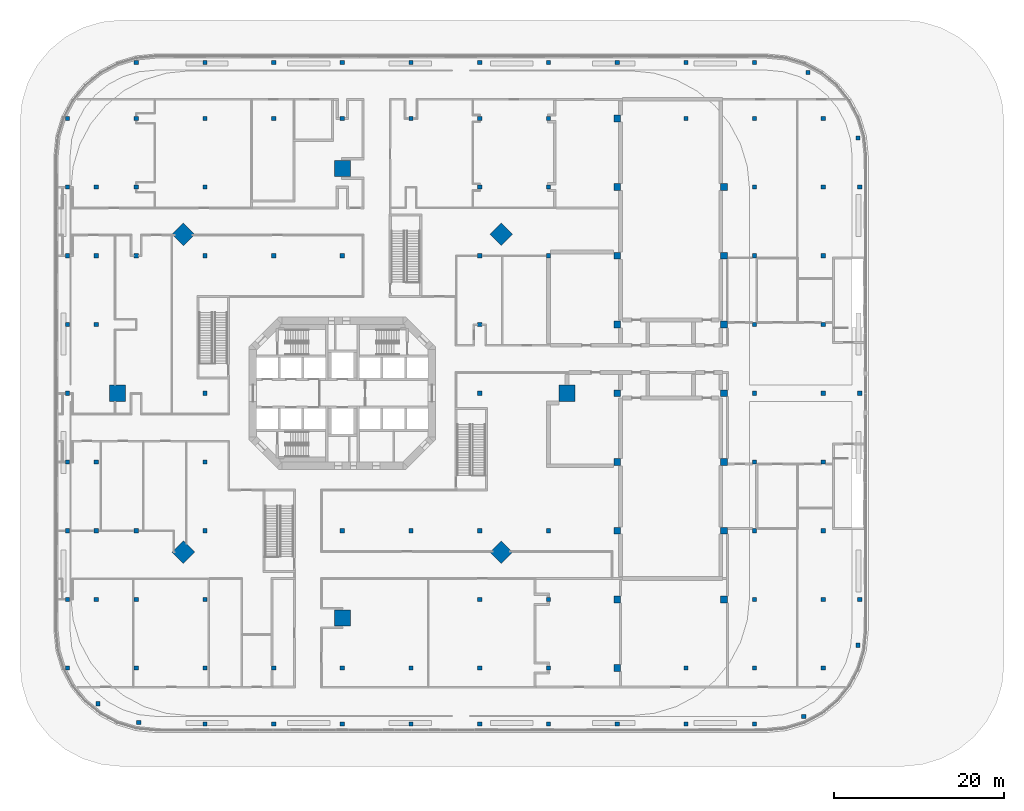
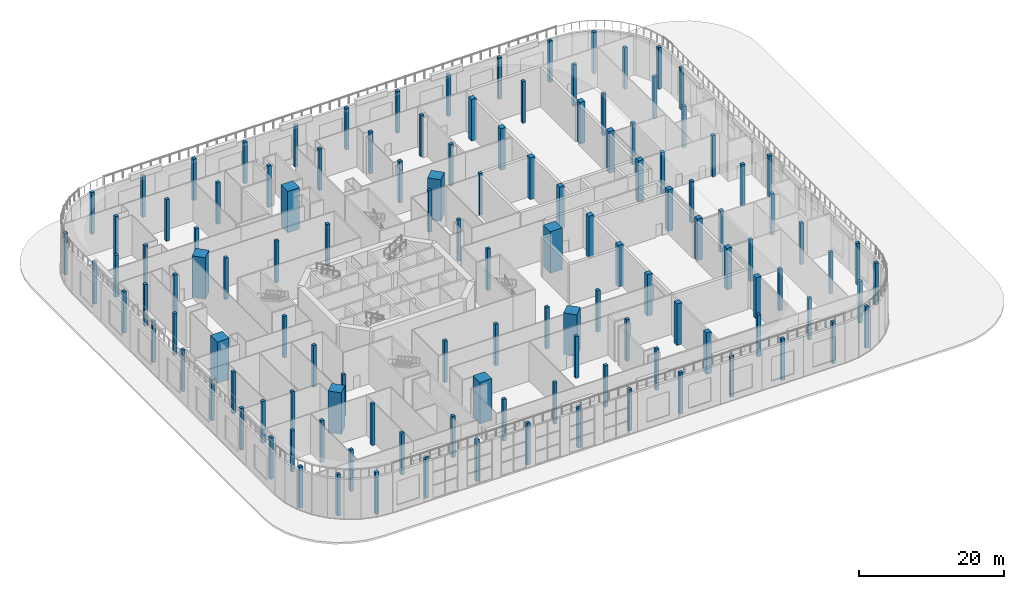
# One storey, part 1 of 21: 125 columns.
"""IFC4 building model written with IfcOpenShell, lengths in metres."""

import ifcopenshell
import ifcopenshell.guid

model = None  # the IFC model being written
_history = None  # IfcOwnerHistory: only IFC2X3 demands one
_inside = {}  # id of a spatial element -> (the spatial element, [elements in it])
_under = {}  # id of a project, library or spatial element -> (it, [spatial elements below it])
_declared = {}  # id of a project -> (the project, [libraries it declares])
_typed = {}  # id of a type object -> (the type object, [elements of that type])
_made_of = {}  # id of a material, layer set ... -> (it, [elements and type objects made of it])


def new_model(schema):
    """Start an empty IFC model of exactly this schema.

    Asked for "IFC4X3", IfcOpenShell would pick the latest addendum, in which some entities
    have other attributes; the version numbers below select the first issue.
    IFC2X3 requires an IfcOwnerHistory on every rooted entity: one is made here for all.
    """
    global model, _history
    if schema == "IFC4X3":
        model = ifcopenshell.file(schema_version=(4, 3, 0, 0))
    else:
        model = ifcopenshell.file(schema=schema)
    _inside.clear()
    _under.clear()
    _declared.clear()
    _typed.clear()
    _made_of.clear()
    _history = None
    if model.schema == "IFC2X3":
        org = make("IfcOrganization", Name="unknown")
        user = make(
            "IfcPersonAndOrganization",
            ThePerson=make("IfcPerson", FamilyName="unknown"),
            TheOrganization=org,
        )
        app = make(
            "IfcApplication",
            ApplicationDeveloper=org,
            Version="unknown",
            ApplicationFullName="unknown",
            ApplicationIdentifier="unknown",
        )
        _history = make(
            "IfcOwnerHistory",
            OwningUser=user,
            OwningApplication=app,
            ChangeAction="ADDED",
            CreationDate=0,
        )
    return model


def make(cls, **values):
    """One entity of the class cls with the attributes given. An attribute that is None is left unset."""
    return model.create_entity(
        cls, **{name: value for name, value in values.items() if value is not None}
    )


def rooted(cls, **values):
    """An entity with a GlobalId (a new one), such as an element, a storey or a relation."""
    return make(cls, GlobalId=ifcopenshell.guid.new(), OwnerHistory=_history, **values)


def si_unit(unit_type, name, prefix=None):
    """IfcSIUnit, for example si_unit("LENGTHUNIT", "METRE", prefix="MILLI")."""
    return make("IfcSIUnit", UnitType=unit_type, Prefix=prefix, Name=name)


def assignment(units):
    """IfcUnitAssignment: the units of a project."""
    return None if units is None else make("IfcUnitAssignment", Units=units)


def point(xyz):
    """IfcCartesianPoint."""
    return None if xyz is None else make("IfcCartesianPoint", Coordinates=xyz)


def direction(xyz):
    """IfcDirection."""
    return None if xyz is None else make("IfcDirection", DirectionRatios=xyz)


def frame(location, z_axis=None, x_axis=None):
    """IfcAxis2Placement3D, a coordinate frame: its origin and axes. An axis left out is left unset."""
    return make(
        "IfcAxis2Placement3D",
        Location=point(location),
        Axis=direction(z_axis),
        RefDirection=direction(x_axis),
    )


def frame_2d(location, x_axis=None):
    """IfcAxis2Placement2D, a coordinate frame in the plane: its origin and x axis."""
    return make(
        "IfcAxis2Placement2D", Location=point(location), RefDirection=direction(x_axis)
    )


def origin():
    """The frame at (0, 0, 0) with its axes left unset."""
    return frame((0.0, 0.0, 0.0))


def origin_2d():
    """The frame at (0, 0) in the plane with its x axis left unset."""
    return frame_2d((0.0, 0.0))


def place(relative_to, where):
    """IfcLocalPlacement: puts the frame where relative to a parent placement (None: the world)."""
    return make(
        "IfcLocalPlacement", PlacementRelTo=relative_to, RelativePlacement=where
    )


def context(
    kind, dimensions, precision=None, world=None, true_north=None, identifier=None
):
    """IfcGeometricRepresentationContext, for example the 3D "Model" context."""
    return make(
        "IfcGeometricRepresentationContext",
        ContextIdentifier=identifier,
        ContextType=kind,
        CoordinateSpaceDimension=dimensions,
        Precision=precision,
        WorldCoordinateSystem=world,
        TrueNorth=true_north,
    )


def subcontext(parent, identifier, kind, view, scale=None):
    """IfcGeometricRepresentationSubContext, for example "Body" below "Model"."""
    return make(
        "IfcGeometricRepresentationSubContext",
        ContextIdentifier=identifier,
        ContextType=kind,
        ParentContext=parent,
        TargetScale=scale,
        TargetView=view,
    )


def project(units=None, contexts=None):
    """IfcProject with its units and contexts."""
    return rooted(
        "IfcProject",
        Name="project",
        RepresentationContexts=contexts,
        UnitsInContext=assignment(units),
    )


def spatial(cls, under=None, at=None, **own):
    """A site, building, storey or space (cls), placed at a placement, below another one or the project."""
    s = rooted(cls, ObjectPlacement=at, **own)
    if under is not None:
        _under.setdefault(under.id(), (under, []))[1].append(s)
    return s


def profile(cls, at=None, kind="AREA", **sizes):
    """A parametric profile (cls). Its sizes go by their IFC names, for example OverallWidth=200.0."""
    return make(cls, ProfileType=kind, Position=at, **sizes)


def rectangle(**sizes):
    """IfcRectangleProfileDef."""
    return profile("IfcRectangleProfileDef", **sizes)


def extrude(swept, where, along, depth):
    """IfcExtrudedAreaSolid: the profile swept, set in the frame where, extruded along a direction by depth."""
    return make(
        "IfcExtrudedAreaSolid",
        SweptArea=swept,
        Position=where,
        ExtrudedDirection=direction(along),
        Depth=depth,
    )


def shape(context_of_items, identifier, shape_type, items):
    """IfcShapeRepresentation: the items that make up one representation, for example the "Body"."""
    return make(
        "IfcShapeRepresentation",
        ContextOfItems=context_of_items,
        RepresentationIdentifier=identifier,
        RepresentationType=shape_type,
        Items=items,
    )


def material(Name=None, Category=None):
    """IfcMaterial."""
    return make("IfcMaterial", Name=Name, Category=Category)


def material_profile(
    of_material, cross_section, Name=None, Category=None, Priority=None
):
    """IfcMaterialProfile: a cross section and its material."""
    return make(
        "IfcMaterialProfile",
        Name=Name,
        Material=of_material,
        Profile=cross_section,
        Priority=Priority,
        Category=Category,
    )


def profile_set(profiles, Name=None, composite=None):
    """IfcMaterialProfileSet."""
    return make(
        "IfcMaterialProfileSet",
        Name=Name,
        MaterialProfiles=profiles,
        CompositeProfile=composite,
    )


def made_of(thing, what):
    """Note that an element or type object is made of a material, layer set ...; save() writes the relation."""
    if what is not None:
        _made_of.setdefault(what.id(), (what, []))[1].append(thing)
    return thing


def type_object(cls, material=None, **own):
    """A type object (cls), such as IfcWallType, which elements share."""
    return made_of(rooted(cls, **own), material)


def element(
    cls,
    number,
    at=None,
    inside=None,
    cuts=None,
    type_object=None,
    material=None,
    context=None,
    identifier="Body",
    shape_type=None,
    held_by="IfcProductDefinitionShape",
    body=None,
    shapes=None,
    **own,
):
    """One element of the class cls, such as IfcWall. Its Tag is "e" and its number.

    at: its placement. inside: the storey or other place that contains it. cuts: it is an
    opening in that element (IfcRelVoidsElement). A single representation is given by context,
    identifier, shape_type and body (its items); several are given by shapes. held_by: the class
    of the entity that holds the representations. save() writes the other relations.
    """
    e = rooted(cls, Tag="e%d" % number, ObjectPlacement=at, **own)
    if body is not None:
        shapes = [shape(context, identifier, shape_type, body)]
    if shapes is not None:
        e.Representation = make(held_by, Representations=shapes)
    if inside is not None:
        _inside.setdefault(inside.id(), (inside, []))[1].append(e)
    if cuts is not None:
        rooted(
            "IfcRelVoidsElement", RelatingBuildingElement=cuts, RelatedOpeningElement=e
        )
    if type_object is not None:
        _typed.setdefault(type_object.id(), (type_object, []))[1].append(e)
    return made_of(e, material)


def aggregate(whole, parts):
    """IfcRelAggregates: a whole, such as a stair, and the parts it consists of."""
    return rooted("IfcRelAggregates", RelatingObject=whole, RelatedObjects=parts)


def save(model, path):
    """Write the relations noted so far, then the file.

    IfcRelAggregates (storeys below a building ...), IfcRelContainedInSpatialStructure (elements
    in a storey), IfcRelDefinesByType, IfcRelAssociatesMaterial and IfcRelDeclares: one each for
    every whole, place, type object, material and project.
    """
    for whole, parts in _under.values():
        aggregate(whole, parts)
    for where, things in _inside.values():
        rooted(
            "IfcRelContainedInSpatialStructure",
            RelatedElements=things,
            RelatingStructure=where,
        )
    for kind, things in _typed.values():
        rooted("IfcRelDefinesByType", RelatedObjects=things, RelatingType=kind)
    for what, things in _made_of.values():
        rooted("IfcRelAssociatesMaterial", RelatedObjects=things, RelatingMaterial=what)
    for by, libraries in _declared.values():
        rooted("IfcRelDeclares", RelatingContext=by, RelatedDefinitions=libraries)
    model.write(path)


model = new_model("IFC4")

# Units and contexts
model_context = context("Model", 3, precision=1e-05, world=origin(), true_north=direction((0.0, 1.0)))
body_context = subcontext(model_context, "Body", "Model", "MODEL_VIEW")
ifc_project = project(units=[si_unit("LENGTHUNIT", "METRE"), si_unit("AREAUNIT", "SQUARE_METRE"), si_unit("VOLUMEUNIT", "CUBIC_METRE"), si_unit("PLANEANGLEUNIT", "RADIAN"), si_unit("MASSUNIT", "GRAM", prefix="KILO")], contexts=[model_context])

# Site, building, storey
site_placement = place(None, origin())
site = spatial("IfcSite", under=ifc_project, at=site_placement, CompositionType="ELEMENT")
building_placement = place(site_placement, origin())
building = spatial("IfcBuilding", under=site, at=building_placement, Name="Torre Triforio", CompositionType="ELEMENT")
storey_placement = place(building_placement, frame((0.0, 0.0, 6.0)))
storey = spatial("IfcBuildingStorey", under=building, at=storey_placement, Name="L01", CompositionType="ELEMENT", Elevation=6.0)

# Columns
ifc_material_1 = material(Name="Concrete C50", Category="concrete")
ifc_material_profile_1 = material_profile(ifc_material_1, rectangle(XDim=0.5, YDim=0.5, at=origin_2d()), Name="RC 500x500")
ifc_profile_set_1 = profile_set([ifc_material_profile_1], Name="Concrete C50")
column_type_1 = type_object("IfcColumnType", Name="Column RC 500x500 C50", PredefinedType="COLUMN", material=ifc_profile_set_1)
for number, where, z_axis, x_axis, name in (
    (1, (-32.39990234375, -32.39990234375, 0.0), (0.0, 0.0, 1.0), (1.0, 0.0, 0.0), "COL.G.L01.2-D"),
    (2, (-32.39990234375, -24.300048828125, 0.0), (0.0, 0.0, 1.0), (1.0, 0.0, 0.0), "COL.G.L01.2-E"),
    (3, (-32.39990234375, -16.199951171875, 0.0), (0.0, 0.0, 1.0), (1.0, 0.0, 0.0), "COL.G.L01.2-F"),
    (4, (-32.39990234375, -8.10009765625, 0.0), (0.0, 0.0, 1.0), (1.0, 0.0, 0.0), "COL.G.L01.2-G"),
    (5, (-32.39990234375, 0.0, 0.0), (0.0, 0.0, 1.0), (1.0, 0.0, 0.0), "COL.G.L01.2-H"),
    (6, (-32.39990234375, 8.10009765625, 0.0), (0.0, 0.0, 1.0), (1.0, 0.0, 0.0), "COL.G.L01.2-I"),
    (7, (-32.39990234375, 16.199951171875, 0.0), (0.0, 0.0, 1.0), (1.0, 0.0, 0.0), "COL.G.L01.2-J"),
    (8, (-32.39990234375, 24.300048828125, 0.0), (0.0, 0.0, 1.0), (1.0, 0.0, 0.0), "COL.G.L01.2-K"),
    (9, (-32.39990234375, 32.39990234375, 0.0), (0.0, 0.0, 1.0), (1.0, 0.0, 0.0), "COL.G.L01.2-L"),
    (10, (-24.300048828125, -32.39990234375, 0.0), (0.0, 0.0, 1.0), (1.0, 0.0, 0.0), "COL.G.L01.3-D"),
    (11, (-24.300048828125, -24.300048828125, 0.0), (0.0, 0.0, 1.0), (1.0, 0.0, 0.0), "COL.G.L01.3-E"),
    (12, (-24.300048828125, -16.199951171875, 0.0), (0.0, 0.0, 1.0), (1.0, 0.0, 0.0), "COL.G.L01.3-F"),
    (13, (-24.300048828125, 16.199951171875, 0.0), (0.0, 0.0, 1.0), (1.0, 0.0, 0.0), "COL.G.L01.3-J"),
    (14, (-24.300048828125, 24.300048828125, 0.0), (0.0, 0.0, 1.0), (1.0, 0.0, 0.0), "COL.G.L01.3-K"),
    (15, (-24.300048828125, 32.39990234375, 0.0), (0.0, 0.0, 1.0), (1.0, 0.0, 0.0), "COL.G.L01.3-L"),
    (16, (-16.199951171875, -32.39990234375, 0.0), (0.0, 0.0, 1.0), (1.0, 0.0, 0.0), "COL.G.L01.4-D"),
    (17, (-16.199951171875, -24.300048828125, 0.0), (0.0, 0.0, 1.0), (1.0, 0.0, 0.0), "COL.G.L01.4-E"),
    (18, (-16.199951171875, -16.199951171875, 0.0), (0.0, 0.0, 1.0), (1.0, 0.0, 0.0), "COL.G.L01.4-F"),
    (19, (-16.199951171875, -8.10009765625, 0.0), (0.0, 0.0, 1.0), (1.0, 0.0, 0.0), "COL.G.L01.4-G"),
    (20, (-16.199951171875, 0.0, 0.0), (0.0, 0.0, 1.0), (1.0, 0.0, 0.0), "COL.G.L01.4-H"),
    (21, (-16.199951171875, 16.199951171875, 0.0), (0.0, 0.0, 1.0), (1.0, 0.0, 0.0), "COL.G.L01.4-J"),
    (22, (-16.199951171875, 24.300048828125, 0.0), (0.0, 0.0, 1.0), (1.0, 0.0, 0.0), "COL.G.L01.4-K"),
    (23, (-16.199951171875, 32.39990234375, 0.0), (0.0, 0.0, 1.0), (1.0, 0.0, 0.0), "COL.G.L01.4-L"),
    (24, (-8.10009765625, -32.39990234375, 0.0), (0.0, 0.0, 1.0), (1.0, 0.0, 0.0), "COL.G.L01.5-D"),
    (25, (-8.10009765625, 16.199951171875, 0.0), (0.0, 0.0, 1.0), (1.0, 0.0, 0.0), "COL.G.L01.5-J"),
    (26, (-8.10009765625, 32.39990234375, 0.0), (0.0, 0.0, 1.0), (1.0, 0.0, 0.0), "COL.G.L01.5-L"),
    (27, (0.0, -32.39990234375, 0.0), (0.0, 0.0, 1.0), (1.0, 0.0, 0.0), "COL.G.L01.6-D"),
    (28, (0.0, -16.199951171875, 0.0), (0.0, 0.0, 1.0), (1.0, 0.0, 0.0), "COL.G.L01.6-F"),
    (29, (0.0, 16.199951171875, 0.0), (0.0, 0.0, 1.0), (1.0, 0.0, 0.0), "COL.G.L01.6-J"),
    (30, (0.0, 32.39990234375, 0.0), (0.0, 0.0, 1.0), (1.0, 0.0, 0.0), "COL.G.L01.6-L"),
    (31, (8.10009765625, -32.39990234375, 0.0), (0.0, 0.0, 1.0), (1.0, 0.0, 0.0), "COL.G.L01.7-D"),
    (32, (8.10009765625, -16.199951171875, 0.0), (0.0, 0.0, 1.0), (1.0, 0.0, 0.0), "COL.G.L01.7-F"),
    (33, (8.10009765625, 32.39990234375, 0.0), (0.0, 0.0, 1.0), (1.0, 0.0, 0.0), "COL.G.L01.7-L"),
    (34, (16.199951171875, -32.39990234375, 0.0), (0.0, 0.0, 1.0), (1.0, 0.0, 0.0), "COL.G.L01.8-D"),
    (35, (16.199951171875, -24.300048828125, 0.0), (0.0, 0.0, 1.0), (1.0, 0.0, 0.0), "COL.G.L01.8-E"),
    (36, (16.199951171875, -16.199951171875, 0.0), (0.0, 0.0, 1.0), (1.0, 0.0, 0.0), "COL.G.L01.8-F"),
    (37, (16.199951171875, 0.0, 0.0), (0.0, 0.0, 1.0), (1.0, 0.0, 0.0), "COL.G.L01.8-H"),
    (38, (16.199951171875, 8.10009765625, 0.0), (0.0, 0.0, 1.0), (1.0, 0.0, 0.0), "COL.G.L01.8-I"),
    (39, (16.199951171875, 16.199951171875, 0.0), (0.0, 0.0, 1.0), (1.0, 0.0, 0.0), "COL.G.L01.8-J"),
    (40, (16.199951171875, 24.300048828125, 0.0), (0.0, 0.0, 1.0), (1.0, 0.0, 0.0), "COL.G.L01.8-K"),
    (41, (16.199951171875, 32.39990234375, 0.0), (0.0, 0.0, 1.0), (1.0, 0.0, 0.0), "COL.G.L01.8-L"),
    (42, (24.300048828125, -32.39990234375, 0.0), (0.0, 0.0, 1.0), (1.0, 0.0, 0.0), "COL.G.L01.9-D"),
    (43, (24.300048828125, -24.300048828125, 0.0), (0.0, 0.0, 1.0), (1.0, 0.0, 0.0), "COL.G.L01.9-E"),
    (44, (24.300048828125, -16.199951171875, 0.0), (0.0, 0.0, 1.0), (1.0, 0.0, 0.0), "COL.G.L01.9-F"),
    (45, (24.300048828125, 16.199951171875, 0.0), (0.0, 0.0, 1.0), (1.0, 0.0, 0.0), "COL.G.L01.9-J"),
    (46, (24.300048828125, 24.300048828125, 0.0), (0.0, 0.0, 1.0), (1.0, 0.0, 0.0), "COL.G.L01.9-K"),
    (47, (24.300048828125, 32.39990234375, 0.0), (0.0, 0.0, 1.0), (1.0, 0.0, 0.0), "COL.G.L01.9-L"),
    (48, (40.5, -32.39990234375, 0.0), (0.0, 0.0, 1.0), (1.0, 0.0, 0.0), "COL.G.L01.11-D"),
    (49, (40.5, 32.39990234375, 0.0), (0.0, 0.0, 1.0), (1.0, 0.0, 0.0), "COL.G.L01.11-L"),
    (50, (48.60009765625, -32.39990234375, 0.0), (0.0, 0.0, 1.0), (1.0, 0.0, 0.0), "COL.G.L01.12-D"),
    (51, (48.60009765625, -24.300048828125, 0.0), (0.0, 0.0, 1.0), (1.0, 0.0, 0.0), "COL.G.L01.12-E"),
    (52, (48.60009765625, -16.199951171875, 0.0), (0.0, 0.0, 1.0), (1.0, 0.0, 0.0), "COL.G.L01.12-F"),
    (53, (48.60009765625, -8.10009765625, 0.0), (0.0, 0.0, 1.0), (1.0, 0.0, 0.0), "COL.G.L01.12-G"),
    (54, (48.60009765625, 0.0, 0.0), (0.0, 0.0, 1.0), (1.0, 0.0, 0.0), "COL.G.L01.12-H"),
    (55, (48.60009765625, 8.10009765625, 0.0), (0.0, 0.0, 1.0), (1.0, 0.0, 0.0), "COL.G.L01.12-I"),
    (56, (48.60009765625, 16.199951171875, 0.0), (0.0, 0.0, 1.0), (1.0, 0.0, 0.0), "COL.G.L01.12-J"),
    (57, (48.60009765625, 24.300048828125, 0.0), (0.0, 0.0, 1.0), (1.0, 0.0, 0.0), "COL.G.L01.12-K"),
    (58, (48.60009765625, 32.39990234375, 0.0), (0.0, 0.0, 1.0), (1.0, 0.0, 0.0), "COL.G.L01.12-L"),
    (59, (56.699951171875, -32.39990234375, 0.0), (0.0, 0.0, 1.0), (1.0, 0.0, 0.0), "COL.G.L01.13-D"),
    (60, (56.699951171875, -24.300048828125, 0.0), (0.0, 0.0, 1.0), (1.0, 0.0, 0.0), "COL.G.L01.13-E"),
    (61, (56.699951171875, -16.199951171875, 0.0), (0.0, 0.0, 1.0), (1.0, 0.0, 0.0), "COL.G.L01.13-F"),
    (62, (56.699951171875, -8.10009765625, 0.0), (0.0, 0.0, 1.0), (1.0, 0.0, 0.0), "COL.G.L01.13-G"),
    (63, (56.699951171875, 0.0, 0.0), (0.0, 0.0, 1.0), (1.0, 0.0, 0.0), "COL.G.L01.13-H"),
    (64, (56.699951171875, 8.10009765625, 0.0), (0.0, 0.0, 1.0), (1.0, 0.0, 0.0), "COL.G.L01.13-I"),
    (65, (56.699951171875, 16.199951171875, 0.0), (0.0, 0.0, 1.0), (1.0, 0.0, 0.0), "COL.G.L01.13-J"),
    (66, (56.699951171875, 24.300048828125, 0.0), (0.0, 0.0, 1.0), (1.0, 0.0, 0.0), "COL.G.L01.13-K"),
    (67, (56.699951171875, 32.39990234375, 0.0), (0.0, 0.0, 1.0), (1.0, 0.0, 0.0), "COL.G.L01.13-L"),
    (68, (-29.0, 24.300048828125, 0.0), (0.0, 0.0, 1.0), (1.0, 0.0, 0.0), "COL.E.L01.ED-01"),
    (69, (-29.0, 16.199951171875, 0.0), (0.0, 0.0, 1.0), (1.0, 0.0, 0.0), "COL.E.L01.ED-02"),
    (70, (-29.0, -24.300048828125, 0.0), (0.0, 0.0, 1.0), (1.0, 0.0, 0.0), "COL.E.L01.ED-03"),
    (71, (-29.0, -16.199951171875, 0.0), (0.0, 0.0, 1.0), (1.0, 0.0, 0.0), "COL.E.L01.ED-04"),
    (72, (-29.0, 8.10009765625, 0.0), (0.0, 0.0, 1.0), (1.0, 0.0, 0.0), "COL.E.L01.ED-05"),
    (73, (-29.0, -8.10009765625, 0.0), (0.0, 0.0, 1.0), (1.0, 0.0, 0.0), "COL.E.L01.ED-06"),
    (74, (0.0, -39.0, 0.0), (0.0, 0.0, 1.0), (1.0, 0.0, 0.0), "COL.E.L01.ED-07"),
    (75, (48.60009765625, 39.0, 0.0), (0.0, 0.0, 1.0), (1.0, 0.0, 0.0), "COL.E.L01.ED-08"),
    (76, (-8.10009765625, -39.0, 0.0), (0.0, 0.0, 1.0), (1.0, 0.0, 0.0), "COL.E.L01.ED-09"),
    (77, (40.5, 39.0, 0.0), (0.0, 0.0, 1.0), (1.0, 0.0, 0.0), "COL.E.L01.ED-10"),
    (78, (8.10009765625, -39.0, 0.0), (0.0, 0.0, 1.0), (1.0, 0.0, 0.0), "COL.E.L01.ED-11"),
    (79, (-16.199951171875, -39.0, 0.0), (0.0, 0.0, 1.0), (1.0, 0.0, 0.0), "COL.E.L01.ED-12"),
    (80, (32.39990234375, 39.0, 0.0), (0.0, 0.0, 1.0), (1.0, 0.0, 0.0), "COL.E.L01.ED-13"),
    (81, (-24.300048828125, 39.0, 0.0), (0.0, 0.0, 1.0), (1.0, 0.0, 0.0), "COL.E.L01.ED-14"),
    (82, (16.199951171875, -39.0, 0.0), (0.0, 0.0, 1.0), (1.0, 0.0, 0.0), "COL.E.L01.ED-15"),
    (83, (24.300048828125, 39.0, 0.0), (0.0, 0.0, 1.0), (1.0, 0.0, 0.0), "COL.E.L01.ED-16"),
    (84, (-16.199951171875, 39.0, 0.0), (0.0, 0.0, 1.0), (1.0, 0.0, 0.0), "COL.E.L01.ED-17"),
    (85, (24.300048828125, -39.0, 0.0), (0.0, 0.0, 1.0), (1.0, 0.0, 0.0), "COL.E.L01.ED-18"),
    (86, (16.199951171875, 39.0, 0.0), (0.0, 0.0, 1.0), (1.0, 0.0, 0.0), "COL.E.L01.ED-19"),
    (87, (-8.10009765625, 39.0, 0.0), (0.0, 0.0, 1.0), (1.0, 0.0, 0.0), "COL.E.L01.ED-20"),
    (88, (48.60009765625, -39.0, 0.0), (0.0, 0.0, 1.0), (1.0, 0.0, 0.0), "COL.E.L01.ED-21"),
    (89, (32.39990234375, -39.0, 0.0), (0.0, 0.0, 1.0), (1.0, 0.0, 0.0), "COL.E.L01.ED-22"),
    (90, (8.10009765625, 39.0, 0.0), (0.0, 0.0, 1.0), (1.0, 0.0, 0.0), "COL.E.L01.ED-23"),
    (91, (0.0, 39.0, 0.0), (0.0, 0.0, 1.0), (1.0, 0.0, 0.0), "COL.E.L01.ED-24"),
    (92, (40.5, -39.0, 0.0), (0.0, 0.0, 1.0), (1.0, 0.0, 0.0), "COL.E.L01.ED-25"),
    (93, (-24.0, -38.800048828125, 0.0), (0.0, 0.0, 1.0), (1.0, 0.0, 0.0), "COL.E.L01.ED-26"),
    (94, (61.0, 24.300048828125, 0.0), (0.0, 0.0, 1.0), (1.0, 0.0, 0.0), "COL.E.L01.ED-27"),
    (95, (61.0, 0.0, 0.0), (0.0, 0.0, 1.0), (1.0, 0.0, 0.0), "COL.E.L01.ED-28"),
    (96, (54.89990234375, 37.800048828125, 0.0), (0.0, 0.0, 1.0), (1.0, 0.0, 0.0), "COL.E.L01.ED-29"),
    (97, (61.0, -24.300048828125, 0.0), (0.0, 0.0, 1.0), (1.0, 0.0, 0.0), "COL.E.L01.ED-30"),
    (98, (54.39990234375, -38.10009765625, 0.0), (0.0, 0.0, 1.0), (1.0, 0.0, 0.0), "COL.E.L01.ED-31"),
    (99, (-28.800048828125, -36.60009765625, 0.0), (0.0, 0.0, 1.0), (1.0, 0.0, 0.0), "COL.E.L01.ED-32"),
    (100, (60.800048828125, -29.699951171875, 0.0), (0.0, 0.0, 1.0), (1.0, 0.0, 0.0), "COL.E.L01.ED-33"),
    (101, (60.800048828125, 30.10009765625, 0.0), (0.0, 0.0, 1.0), (1.0, 0.0, 0.0), "COL.E.L01.ED-34"),
):
    element("IfcColumn", number, at=place(storey_placement, frame(where, z_axis=z_axis, x_axis=x_axis)), inside=storey, type_object=column_type_1, Name=name, PredefinedType="COLUMN", context=body_context, shape_type="SweptSolid", body=[
        extrude(rectangle(XDim=0.5, YDim=0.5, at=origin_2d()), origin(), (0.0, 0.0, 1.0), 7.0),
    ])
ifc_material_profile_2 = material_profile(ifc_material_1, rectangle(XDim=0.800048828125, YDim=0.800048828125, at=origin_2d()), Name="RC 800x800")
ifc_profile_set_2 = profile_set([ifc_material_profile_2], Name="Concrete C50")
column_type_2 = type_object("IfcColumnType", Name="Column RC 800x800 C50", PredefinedType="COLUMN", material=ifc_profile_set_2)
for number, where, z_axis, x_axis, name in (
    (102, (32.39990234375, -32.39990234375, 0.0), (0.0, 0.0, 1.0), (1.0, 0.0, 0.0), "COL.G.L01.10-D"),
    (103, (32.39990234375, -24.300048828125, 0.0), (0.0, 0.0, 1.0), (1.0, 0.0, 0.0), "COL.G.L01.10-E"),
    (104, (32.39990234375, -16.199951171875, 0.0), (0.0, 0.0, 1.0), (1.0, 0.0, 0.0), "COL.G.L01.10-F"),
    (105, (32.39990234375, -8.10009765625, 0.0), (0.0, 0.0, 1.0), (1.0, 0.0, 0.0), "COL.G.L01.10-G"),
    (106, (32.39990234375, 0.0, 0.0), (0.0, 0.0, 1.0), (1.0, 0.0, 0.0), "COL.G.L01.10-H"),
    (107, (32.39990234375, 8.10009765625, 0.0), (0.0, 0.0, 1.0), (1.0, 0.0, 0.0), "COL.G.L01.10-I"),
    (108, (32.39990234375, 16.199951171875, 0.0), (0.0, 0.0, 1.0), (1.0, 0.0, 0.0), "COL.G.L01.10-J"),
    (109, (32.39990234375, 24.300048828125, 0.0), (0.0, 0.0, 1.0), (1.0, 0.0, 0.0), "COL.G.L01.10-K"),
    (110, (32.39990234375, 32.39990234375, 0.0), (0.0, 0.0, 1.0), (1.0, 0.0, 0.0), "COL.G.L01.10-L"),
    (111, (45.0, -24.300048828125, 0.0), (0.0, 0.0, 1.0), (1.0, 0.0, 0.0), "COL.E.L01.EL-E"),
    (112, (45.0, -16.199951171875, 0.0), (0.0, 0.0, 1.0), (1.0, 0.0, 0.0), "COL.E.L01.EL-F"),
    (113, (45.0, -8.10009765625, 0.0), (0.0, 0.0, 1.0), (1.0, 0.0, 0.0), "COL.E.L01.EL-G"),
    (114, (45.0, 0.0, 0.0), (0.0, 0.0, 1.0), (1.0, 0.0, 0.0), "COL.E.L01.EL-H"),
    (115, (45.0, 8.10009765625, 0.0), (0.0, 0.0, 1.0), (1.0, 0.0, 0.0), "COL.E.L01.EL-I"),
    (116, (45.0, 16.199951171875, 0.0), (0.0, 0.0, 1.0), (1.0, 0.0, 0.0), "COL.E.L01.EL-J"),
    (117, (45.0, 24.300048828125, 0.0), (0.0, 0.0, 1.0), (1.0, 0.0, 0.0), "COL.E.L01.EL-K"),
):
    element("IfcColumn", number, at=place(storey_placement, frame(where, z_axis=z_axis, x_axis=x_axis)), inside=storey, type_object=column_type_2, Name=name, PredefinedType="COLUMN", context=body_context, shape_type="SweptSolid", body=[
        extrude(rectangle(XDim=0.800048828125, YDim=0.800048828125, at=origin_2d()), origin(), (0.0, 0.0, 1.0), 7.0),
    ])
ifc_material_2 = material(Name="Concrete C70", Category="concrete")
ifc_material_profile_3 = material_profile(ifc_material_2, rectangle(XDim=1.89990234375, YDim=1.89990234375, at=origin_2d()), Name="RC 1900x1900")
ifc_profile_set_3 = profile_set([ifc_material_profile_3], Name="Concrete C70")
column_type_3 = type_object("IfcColumnType", Name="Mega column RC 1900x1900 C70", PredefinedType="COLUMN", material=ifc_profile_set_3)
for number, where, z_axis, x_axis, name in (
    (118, (26.5, 0.0, 0.0), (0.0, 0.0, 1.0), (0.0, 1.0, 0.0), "COL.R.L01.00"),
    (119, (18.73828125, 18.73828125, 0.0), (0.0, 0.0, 1.0), (-0.707106781187, 0.707106781187, 0.0), "COL.R.L01.03"),
    (120, (0.0, 26.5, 0.0), (0.0, 0.0, 1.0), (-1.0, 0.0, 0.0), "COL.R.L01.06"),
    (121, (-18.73828125, 18.73828125, 0.0), (0.0, 0.0, 1.0), (-0.707106781187, -0.707106781187, 0.0), "COL.R.L01.09"),
    (122, (-26.5, 0.0, 0.0), (0.0, 0.0, 1.0), (0.0, -1.0, 0.0), "COL.R.L01.12"),
    (123, (-18.73828125, -18.73828125, 0.0), (0.0, 0.0, 1.0), (0.707106781187, -0.707106781187, 0.0), "COL.R.L01.15"),
    (124, (0.0, -26.5, 0.0), (0.0, 0.0, 1.0), (1.0, 0.0, 0.0), "COL.R.L01.18"),
    (125, (18.73828125, -18.73828125, 0.0), (0.0, 0.0, 1.0), (0.707106781187, 0.707106781187, 0.0), "COL.R.L01.21"),
):
    element("IfcColumn", number, at=place(storey_placement, frame(where, z_axis=z_axis, x_axis=x_axis)), inside=storey, type_object=column_type_3, Name=name, PredefinedType="COLUMN", context=body_context, shape_type="SweptSolid", body=[
        extrude(rectangle(XDim=1.89990234375, YDim=1.89990234375, at=origin_2d()), origin(), (0.0, 0.0, 1.0), 7.0),
    ])

save(model, "model.ifc")
